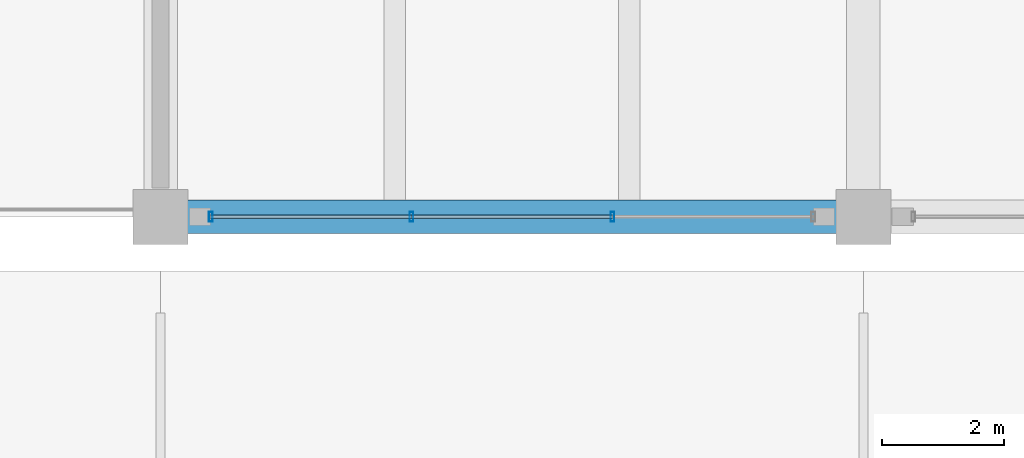
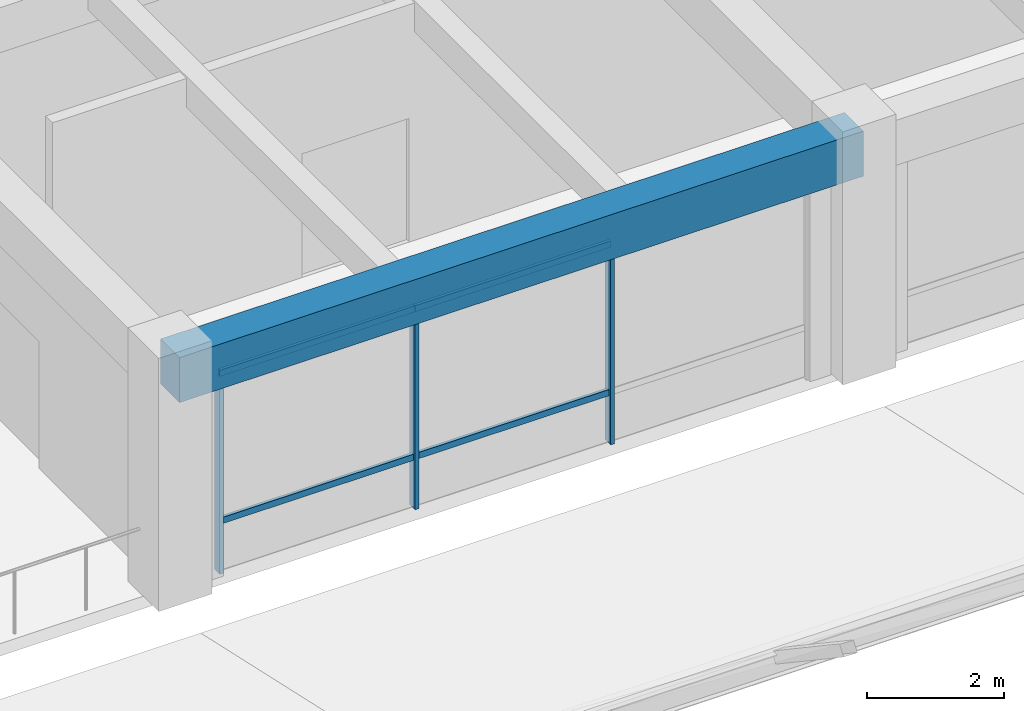
# One storey, part 67 of 154: 7 members, 1 beam, 1 element without a shape of its own.
"""IFC4 building model written with IfcOpenShell, lengths in metres."""

from ifc_helpers import new_model, si_unit, direction, frame, origin, origin_2d, place, context, subcontext, project, spatial, rectangle, hollow_rectangle, extrude, material, material_profile, profile_set, type_object, element, aggregate, save


model = new_model("IFC4")

# Units and contexts
model_context = context("Model", 3, precision=1e-05, world=origin(), true_north=direction((0.0, 1.0)))
body_context = subcontext(model_context, "Body", "Model", "MODEL_VIEW")
ifc_project = project(units=[si_unit("LENGTHUNIT", "METRE"), si_unit("AREAUNIT", "SQUARE_METRE"), si_unit("VOLUMEUNIT", "CUBIC_METRE"), si_unit("PLANEANGLEUNIT", "RADIAN"), si_unit("MASSUNIT", "GRAM", prefix="KILO")], contexts=[model_context])

# Site, building, storey
site_placement = place(None, origin())
site = spatial("IfcSite", under=ifc_project, at=site_placement, CompositionType="ELEMENT")
building_placement = place(site_placement, origin())
building = spatial("IfcBuilding", under=site, at=building_placement, Name="Ologun Quay Terminus", CompositionType="ELEMENT")
storey_placement = place(building_placement, frame((0.0, 0.0, 13.800048828125)))
storey = spatial("IfcBuildingStorey", under=building, at=storey_placement, Name="L03", CompositionType="ELEMENT", Elevation=13.800048828125)

# Curtain wall, members
ifc_material_1 = material(Name="Aluminium 6063-T6", Category="aluminium")
curtain_wall_type = type_object("IfcCurtainWallType", Name="Waterfront Pavilion Harbour Curtain Wall L03 10600x4150", PredefinedType="USERDEFINED", material=ifc_material_1)
curtain_wall_placement = place(storey_placement, origin())
curtain_wall = element("IfcCurtainWall", 1, at=curtain_wall_placement, inside=storey, type_object=curtain_wall_type, Name="CW-25 Curtain Wall CW-L03-109", ObjectType="UNITISED CURTAIN WALL", PredefinedType="USERDEFINED")
ifc_material_2 = material(Name="Aluminium 6063-T6", Category="aluminium")
ifc_material_profile_1 = material_profile(ifc_material_2, hollow_rectangle(XDim=0.06005859375, YDim=0.159912109375, WallThickness=0.00390625, at=origin_2d()), Name="ALU 160x60x4")
ifc_profile_set_1 = profile_set([ifc_material_profile_1], Name="Aluminium 6063-T6")
member_type_1 = type_object("IfcMemberType", Name="Courtyard Screen Mullion 160x65", PredefinedType="MULLION", material=ifc_profile_set_1)
member_1_placement = place(storey_placement, frame((23.820068359375, 85.800048828125, 0.0), z_axis=(0.0, 0.0, 1.0), x_axis=(1.0, 0.0, 0.0)))
member_1 = element("IfcMember", 2, at=member_1_placement, type_object=member_type_1, Name="CW-L03-109 Mullion 1", PredefinedType="MULLION", context=body_context, shape_type="SweptSolid", body=[
    extrude(hollow_rectangle(XDim=0.06005859375, YDim=0.159912109375, WallThickness=0.00390625, at=origin_2d()), origin(), (0.0, 0.0, 1.0), 4.22998046875),
])
member_2_placement = place(storey_placement, frame((27.106689453125, 85.800048828125, 0.0), z_axis=(0.0, 0.0, 1.0), x_axis=(1.0, 0.0, 0.0)))
member_2 = element("IfcMember", 3, at=member_2_placement, type_object=member_type_1, Name="CW-L03-109 Mullion 2", PredefinedType="MULLION", context=body_context, shape_type="SweptSolid", body=[
    extrude(hollow_rectangle(XDim=0.06005859375, YDim=0.159912109375, WallThickness=0.00390625, at=origin_2d()), origin(), (0.0, 0.0, 1.0), 4.22998046875),
])
member_3_placement = place(storey_placement, frame((30.393310546875, 85.800048828125, 0.0), z_axis=(0.0, 0.0, 1.0), x_axis=(1.0, 0.0, 0.0)))
member_3 = element("IfcMember", 4, at=member_3_placement, type_object=member_type_1, Name="CW-L03-109 Mullion 3", PredefinedType="MULLION", context=body_context, shape_type="SweptSolid", body=[
    extrude(hollow_rectangle(XDim=0.06005859375, YDim=0.159912109375, WallThickness=0.00390625, at=origin_2d()), origin(), (0.0, 0.0, 1.0), 4.22998046875),
])
ifc_material_3 = material(Name="Aluminium 6063-T6", Category="aluminium")
ifc_material_profile_2 = material_profile(ifc_material_3, hollow_rectangle(XDim=0.054931640625, YDim=0.110107421875, WallThickness=0.00390625, at=origin_2d()), Name="ALU 110x55x4")
ifc_profile_set_2 = profile_set([ifc_material_profile_2], Name="Aluminium 6063-T6")
member_type_2 = type_object("IfcMemberType", Name="Courtyard Screen Transom 110x55", PredefinedType="USERDEFINED", material=ifc_profile_set_2)
member_4_placement = place(storey_placement, frame((23.820068359375, 85.800048828125, 0.89990234375), z_axis=(1.0, 0.0, 0.0), x_axis=(0.0, 1.0, 0.0)))
member_4 = element("IfcMember", 5, at=member_4_placement, type_object=member_type_2, Name="CW-L03-109 Transom B1-1", ObjectType="TRANSOM", PredefinedType="USERDEFINED", context=body_context, shape_type="SweptSolid", body=[
    extrude(hollow_rectangle(XDim=0.054931640625, YDim=0.110107421875, WallThickness=0.00390625, at=origin_2d()), origin(), (0.0, 0.0, 1.0), 3.28662109375),
])
member_5_placement = place(storey_placement, frame((23.820068359375, 85.800048828125, 3.530029296875), z_axis=(1.0, 0.0, 0.0), x_axis=(0.0, 1.0, 0.0)))
member_5 = element("IfcMember", 6, at=member_5_placement, type_object=member_type_2, Name="CW-L03-109 Transom B1-2", ObjectType="TRANSOM", PredefinedType="USERDEFINED", context=body_context, shape_type="SweptSolid", body=[
    extrude(hollow_rectangle(XDim=0.054931640625, YDim=0.110107421875, WallThickness=0.00390625, at=origin_2d()), origin(), (0.0, 0.0, 1.0), 3.28662109375),
])
member_6_placement = place(storey_placement, frame((27.106689453125, 85.800048828125, 0.89990234375), z_axis=(1.0, 0.0, 0.0), x_axis=(0.0, 1.0, 0.0)))
member_6 = element("IfcMember", 7, at=member_6_placement, type_object=member_type_2, Name="CW-L03-109 Transom B2-1", ObjectType="TRANSOM", PredefinedType="USERDEFINED", context=body_context, shape_type="SweptSolid", body=[
    extrude(hollow_rectangle(XDim=0.054931640625, YDim=0.110107421875, WallThickness=0.00390625, at=origin_2d()), origin(), (0.0, 0.0, 1.0), 3.28662109375),
])
member_7_placement = place(storey_placement, frame((27.106689453125, 85.800048828125, 3.530029296875), z_axis=(1.0, 0.0, 0.0), x_axis=(0.0, 1.0, 0.0)))
member_7 = element("IfcMember", 8, at=member_7_placement, type_object=member_type_2, Name="CW-L03-109 Transom B2-2", ObjectType="TRANSOM", PredefinedType="USERDEFINED", context=body_context, shape_type="SweptSolid", body=[
    extrude(hollow_rectangle(XDim=0.054931640625, YDim=0.110107421875, WallThickness=0.00390625, at=origin_2d()), origin(), (0.0, 0.0, 1.0), 3.28662109375),
])
aggregate(curtain_wall, [member_1, member_2, member_3, member_4, member_5, member_6, member_7])

# Beam
ifc_material_4 = material(Name="Concrete C40/50", Category="concrete")
ifc_material_profile_3 = material_profile(ifc_material_4, rectangle(XDim=0.550048828125, YDim=0.800048828125, at=origin_2d()), Name="RC 550x800")
ifc_profile_set_3 = profile_set([ifc_material_profile_3], Name="Concrete C40/50")
beam_type = type_object("IfcBeamType", Name="Courtyard Wing Primary Girder 550x800", PredefinedType="BEAM", material=ifc_profile_set_3)
beam_placement = place(storey_placement, frame((23.0, 85.800048828125, 3.849853515625), z_axis=(1.0, 0.0, 0.0), x_axis=(0.0, 1.0, 0.0)))
element("IfcBeam", 9, at=beam_placement, inside=storey, type_object=beam_type, Name="B4 Beam 3/G2 L03", PredefinedType="BEAM", context=body_context, shape_type="SweptSolid", body=[
    extrude(rectangle(XDim=0.550048828125, YDim=0.800048828125, at=origin_2d()), origin(), (0.0, 0.0, 1.0), 11.5),
])

save(model, "model.ifc")
